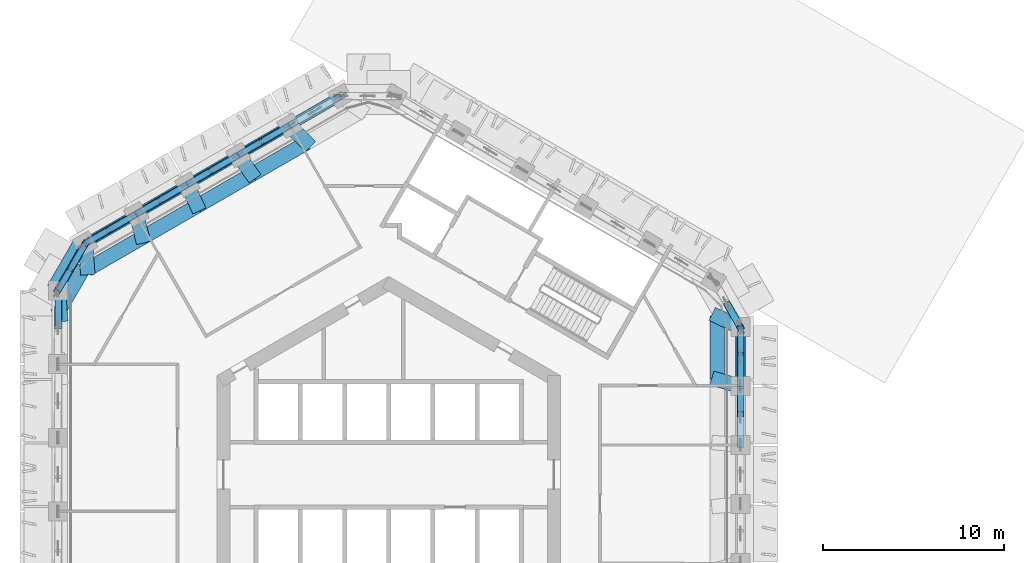
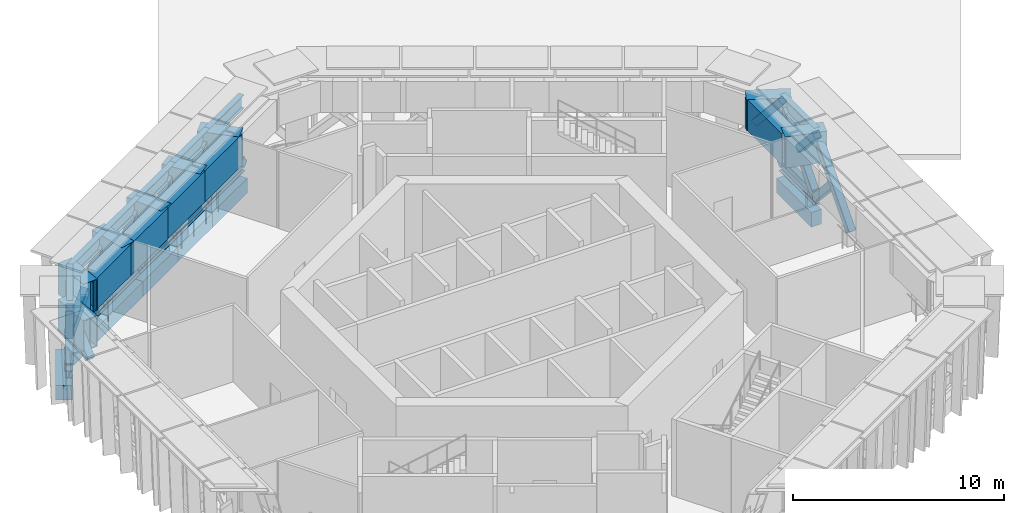
# One storey, part 4 of 18: 37 members, 21 beams.
"""IFC4 building model written with IfcOpenShell, lengths in metres."""

from ifc_helpers import new_model, si_unit, direction, frame, origin, origin_2d, place, context, subcontext, project, spatial, rectangle, hollow_rectangle, i_section, extrude, material, material_profile, profile_set, type_object, element, save


model = new_model("IFC4")

# Units and contexts
model_context = context("Model", 3, precision=1e-05, world=origin(), true_north=direction((0.0, 1.0)))
body_context = subcontext(model_context, "Body", "Model", "MODEL_VIEW")
ifc_project = project(units=[si_unit("LENGTHUNIT", "METRE"), si_unit("AREAUNIT", "SQUARE_METRE"), si_unit("VOLUMEUNIT", "CUBIC_METRE"), si_unit("PLANEANGLEUNIT", "RADIAN"), si_unit("MASSUNIT", "GRAM", prefix="KILO")], contexts=[model_context])

# Site, building, storey
site_placement = place(None, origin())
site = spatial("IfcSite", under=ifc_project, at=site_placement, CompositionType="ELEMENT")
building_placement = place(site_placement, origin())
building = spatial("IfcBuilding", under=site, at=building_placement, Name="Ayvan Gate Tower", CompositionType="ELEMENT")
storey_placement = place(building_placement, frame((0.0, 0.0, 147.89990234375)))
storey = spatial("IfcBuildingStorey", under=building, at=storey_placement, Name="L39", CompositionType="ELEMENT", Elevation=147.89990234375)

# Members
ifc_material_1 = material(Name="Steel S460NH", Category="steel")
ifc_material_profile_1 = material_profile(ifc_material_1, hollow_rectangle(XDim=0.39990234375, YDim=0.39990234375, WallThickness=0.02001953125, InnerFilletRadius=0.02001953125, OuterFilletRadius=0.030029296875, at=origin_2d()), Name="RHS 400x400x20")
ifc_profile_set_1 = profile_set([ifc_material_profile_1], Name="Steel S460NH")
member_type_1 = type_object("IfcMemberType", Name="Belt truss brace BT2 RHS 400x400x20", PredefinedType="BRACE", material=ifc_profile_set_1)
member_1_placement = place(storey_placement, frame((19.485595703125, 1.640869140625, 0.400146484375), z_axis=(0.0, 0.66355587794, 0.748126725128), x_axis=(-1.0, 0.0, 0.0)))
element("IfcMember", 1, at=member_1_placement, inside=storey, type_object=member_type_1, Name="BT2-DA-4", PredefinedType="BRACE", context=body_context, shape_type="SweptSolid", body=[
    extrude(hollow_rectangle(XDim=0.39990234375, YDim=0.39990234375, WallThickness=0.02001953125, InnerFilletRadius=0.02001953125, OuterFilletRadius=0.030029296875, at=origin_2d()), origin(), (0.0, 0.0, 1.0), 4.878662109375),
])
member_2_placement = place(storey_placement, frame((19.485595703125, 4.92236328125, 0.400146484375), z_axis=(0.0, -0.670222172985, 0.742160520938), x_axis=(1.0, 0.0, 0.0)))
element("IfcMember", 2, at=member_2_placement, inside=storey, type_object=member_type_1, Name="BT2-DB-4", PredefinedType="BRACE", context=body_context, shape_type="SweptSolid", body=[
    extrude(hollow_rectangle(XDim=0.39990234375, YDim=0.39990234375, WallThickness=0.02001953125, InnerFilletRadius=0.02001953125, OuterFilletRadius=0.030029296875, at=origin_2d()), origin(), (0.0, 0.0, 1.0), 2.368896484375),
])
member_3_placement = place(storey_placement, frame((19.485595703125, 4.92236328125, 0.400146484375), z_axis=(0.0, 0.660174739352, 0.751112051242), x_axis=(-1.0, 0.0, 0.0)))
element("IfcMember", 3, at=member_3_placement, inside=storey, type_object=member_type_1, Name="BT2-DA-5", PredefinedType="BRACE", context=body_context, shape_type="SweptSolid", body=[
    extrude(hollow_rectangle(XDim=0.39990234375, YDim=0.39990234375, WallThickness=0.02001953125, InnerFilletRadius=0.02001953125, OuterFilletRadius=0.030029296875, at=origin_2d()), origin(), (0.0, 0.0, 1.0), 4.859375),
])
member_4_placement = place(storey_placement, frame((19.485595703125, 8.203857421875, 0.400146484375), z_axis=(0.0, -0.673556040678, 0.739136158002), x_axis=(1.0, 0.0, 0.0)))
element("IfcMember", 4, at=member_4_placement, inside=storey, type_object=member_type_1, Name="BT2-DB-5", PredefinedType="BRACE", context=body_context, shape_type="SweptSolid", body=[
    extrude(hollow_rectangle(XDim=0.39990234375, YDim=0.39990234375, WallThickness=0.02001953125, InnerFilletRadius=0.02001953125, OuterFilletRadius=0.030029296875, at=origin_2d()), origin(), (0.0, 0.0, 1.0), 2.37890625),
])
member_5_placement = place(storey_placement, frame((19.485595703125, 6.46533203125, 2.30810546875), z_axis=(0.0, -0.673502575668, 0.739184875771), x_axis=(1.0, 0.0, 0.0)))
element("IfcMember", 5, at=member_5_placement, inside=storey, type_object=member_type_1, Name="BT2-DC-5", PredefinedType="BRACE", context=body_context, shape_type="SweptSolid", body=[
    extrude(hollow_rectangle(XDim=0.39990234375, YDim=0.39990234375, WallThickness=0.02001953125, InnerFilletRadius=0.02001953125, OuterFilletRadius=0.030029296875, at=origin_2d()), origin(), (0.0, 0.0, 1.0), 2.356689453125),
])
member_6_placement = place(storey_placement, frame((18.768310546875, 9.407958984375, 2.3046875), z_axis=(0.314761825813, -0.560636022628, 0.765906158183), x_axis=(0.871971306425, 0.489556984192, 0.0)))
element("IfcMember", 6, at=member_6_placement, inside=storey, type_object=member_type_1, Name="BT2-DC-6", PredefinedType="BRACE", context=body_context, shape_type="SweptSolid", body=[
    extrude(hollow_rectangle(XDim=0.39990234375, YDim=0.39990234375, WallThickness=0.02001953125, InnerFilletRadius=0.02001953125, OuterFilletRadius=0.030029296875, at=origin_2d()), origin(), (0.0, 0.0, 1.0), 2.27880859375),
])
member_7_placement = place(storey_placement, frame((-2.63818359375, 20.976806640625, 0.400146484375), z_axis=(-0.583247683132, -0.336766698017, 0.739195732691), x_axis=(0.500031727451, -0.866007085157, 0.0)))
element("IfcMember", 7, at=member_7_placement, inside=storey, type_object=member_type_1, Name="BT2-DA-13", PredefinedType="BRACE", context=body_context, shape_type="SweptSolid", body=[
    extrude(hollow_rectangle(XDim=0.39990234375, YDim=0.39990234375, WallThickness=0.02001953125, InnerFilletRadius=0.02001953125, OuterFilletRadius=0.030029296875, at=origin_2d()), origin(), (0.0, 0.0, 1.0), 4.937744140625),
])
member_8_placement = place(storey_placement, frame((-5.47998046875, 19.336181640625, 0.400146484375), z_axis=(-0.580420519169, -0.335136753755, 0.742155898185), x_axis=(0.500034477575, -0.866005497232, 0.0)))
element("IfcMember", 8, at=member_8_placement, inside=storey, type_object=member_type_1, Name="BT2-DA-14", PredefinedType="BRACE", context=body_context, shape_type="SweptSolid", body=[
    extrude(hollow_rectangle(XDim=0.39990234375, YDim=0.39990234375, WallThickness=0.02001953125, InnerFilletRadius=0.02001953125, OuterFilletRadius=0.030029296875, at=origin_2d()), origin(), (0.0, 0.0, 1.0), 4.91796875),
])
member_9_placement = place(storey_placement, frame((-8.32177734375, 17.6953125, 0.400146484375), z_axis=(0.574641112672, 0.331855502399, 0.748103948094), x_axis=(-0.500097537186, 0.86596908334, 0.0)))
element("IfcMember", 9, at=member_9_placement, inside=storey, type_object=member_type_1, Name="BT2-DB-14", PredefinedType="BRACE", context=body_context, shape_type="SweptSolid", body=[
    extrude(hollow_rectangle(XDim=0.39990234375, YDim=0.39990234375, WallThickness=0.02001953125, InnerFilletRadius=0.02001953125, OuterFilletRadius=0.030029296875, at=origin_2d()), origin(), (0.0, 0.0, 1.0), 2.34912109375),
])
member_10_placement = place(storey_placement, frame((-6.85546875, 18.5419921875, 2.30908203125), z_axis=(0.574699351194, 0.331726788696, 0.748116296707), x_axis=(-0.499914057068, 0.866075017274, 0.0)))
element("IfcMember", 10, at=member_10_placement, inside=storey, type_object=member_type_1, Name="BT2-DC-14", PredefinedType="BRACE", context=body_context, shape_type="SweptSolid", body=[
    extrude(hollow_rectangle(XDim=0.39990234375, YDim=0.39990234375, WallThickness=0.02001953125, InnerFilletRadius=0.02001953125, OuterFilletRadius=0.030029296875, at=origin_2d()), origin(), (0.0, 0.0, 1.0), 2.3271484375),
])
member_11_placement = place(storey_placement, frame((-8.32177734375, 17.6953125, 0.400146484375), z_axis=(-0.577568873179, -0.333442851361, 0.745137612533), x_axis=(0.49998122708, -0.866036242063, 0.0)))
element("IfcMember", 11, at=member_11_placement, inside=storey, type_object=member_type_1, Name="BT2-DA-15", PredefinedType="BRACE", context=body_context, shape_type="SweptSolid", body=[
    extrude(hollow_rectangle(XDim=0.39990234375, YDim=0.39990234375, WallThickness=0.02001953125, InnerFilletRadius=0.02001953125, OuterFilletRadius=0.030029296875, at=origin_2d()), origin(), (0.0, 0.0, 1.0), 4.898193359375),
])
member_12_placement = place(storey_placement, frame((-11.163818359375, 16.0546875, 0.400146484375), z_axis=(0.577578514298, 0.33344525588, 0.74512906342), x_axis=(-0.499977671647, 0.866038294681, 0.0)))
element("IfcMember", 12, at=member_12_placement, inside=storey, type_object=member_type_1, Name="BT2-DB-15", PredefinedType="BRACE", context=body_context, shape_type="SweptSolid", body=[
    extrude(hollow_rectangle(XDim=0.39990234375, YDim=0.39990234375, WallThickness=0.02001953125, InnerFilletRadius=0.02001953125, OuterFilletRadius=0.030029296875, at=origin_2d()), origin(), (0.0, 0.0, 1.0), 2.359130859375),
])
member_13_placement = place(storey_placement, frame((-9.684326171875, 16.90869140625, 2.308837890625), z_axis=(0.577619252739, 0.333470908798, 0.74508600299), x_axis=(-0.499980071345, 0.866036909293, 0.0)))
element("IfcMember", 13, at=member_13_placement, inside=storey, type_object=member_type_1, Name="BT2-DC-15", PredefinedType="BRACE", context=body_context, shape_type="SweptSolid", body=[
    extrude(hollow_rectangle(XDim=0.39990234375, YDim=0.39990234375, WallThickness=0.02001953125, InnerFilletRadius=0.02001953125, OuterFilletRadius=0.030029296875, at=origin_2d()), origin(), (0.0, 0.0, 1.0), 2.3369140625),
])
member_14_placement = place(storey_placement, frame((-11.163818359375, 16.0546875, 0.400146484375), z_axis=(-0.574639593913, -0.331782679408, 0.748137414351), x_axis=(0.500016225489, -0.866016035791, 0.0)))
element("IfcMember", 14, at=member_14_placement, inside=storey, type_object=member_type_1, Name="BT2-DA-16", PredefinedType="BRACE", context=body_context, shape_type="SweptSolid", body=[
    extrude(hollow_rectangle(XDim=0.39990234375, YDim=0.39990234375, WallThickness=0.02001953125, InnerFilletRadius=0.02001953125, OuterFilletRadius=0.030029296875, at=origin_2d()), origin(), (0.0, 0.0, 1.0), 4.878662109375),
])
member_15_placement = place(storey_placement, frame((-14.005615234375, 14.413818359375, 0.400146484375), z_axis=(0.580435587012, 0.335152082557, 0.742137191419), x_axis=(-0.500041894521, 0.86600121462, 0.0)))
element("IfcMember", 15, at=member_15_placement, inside=storey, type_object=member_type_1, Name="BT2-DB-16", PredefinedType="BRACE", context=body_context, shape_type="SweptSolid", body=[
    extrude(hollow_rectangle(XDim=0.39990234375, YDim=0.39990234375, WallThickness=0.02001953125, InnerFilletRadius=0.02001953125, OuterFilletRadius=0.030029296875, at=origin_2d()), origin(), (0.0, 0.0, 1.0), 2.368896484375),
])
member_16_placement = place(storey_placement, frame((-12.51318359375, 15.275634765625, 2.308349609375), z_axis=(0.580478314905, 0.335075385718, 0.742138404754), x_axis=(-0.499928466065, 0.866066699982, 0.0)))
element("IfcMember", 16, at=member_16_placement, inside=storey, type_object=member_type_1, Name="BT2-DC-16", PredefinedType="BRACE", context=body_context, shape_type="SweptSolid", body=[
    extrude(hollow_rectangle(XDim=0.39990234375, YDim=0.39990234375, WallThickness=0.02001953125, InnerFilletRadius=0.02001953125, OuterFilletRadius=0.030029296875, at=origin_2d()), origin(), (0.0, 0.0, 1.0), 2.346923828125),
])
member_17_placement = place(storey_placement, frame((-14.005615234375, 14.413818359375, 0.400146484375), z_axis=(-0.57170868921, -0.330092810274, 0.751124431294), x_axis=(0.500018909665, -0.866014486009, 0.0)))
element("IfcMember", 17, at=member_17_placement, inside=storey, type_object=member_type_1, Name="BT2-DA-17", PredefinedType="BRACE", context=body_context, shape_type="SweptSolid", body=[
    extrude(hollow_rectangle(XDim=0.39990234375, YDim=0.39990234375, WallThickness=0.02001953125, InnerFilletRadius=0.02001953125, OuterFilletRadius=0.030029296875, at=origin_2d()), origin(), (0.0, 0.0, 1.0), 4.859130859375),
])
member_18_placement = place(storey_placement, frame((-16.847412109375, 12.773193359375, 0.400146484375), z_axis=(0.583277648818, 0.336747134572, 0.739181000667), x_axis=(-0.499990676028, 0.866030786915, 0.0)))
element("IfcMember", 18, at=member_18_placement, inside=storey, type_object=member_type_1, Name="BT2-DB-17", PredefinedType="BRACE", context=body_context, shape_type="SweptSolid", body=[
    extrude(hollow_rectangle(XDim=0.39990234375, YDim=0.39990234375, WallThickness=0.02001953125, InnerFilletRadius=0.02001953125, OuterFilletRadius=0.030029296875, at=origin_2d()), origin(), (0.0, 0.0, 1.0), 2.378662109375),
])
member_19_placement = place(storey_placement, frame((-15.341796875, 13.642333984375, 2.30810546875), z_axis=(0.583258035882, 0.336797846297, 0.739173372294), x_axis=(-0.500059755004, 0.865990901468, 0.0)))
element("IfcMember", 19, at=member_19_placement, inside=storey, type_object=member_type_1, Name="BT2-DC-17", PredefinedType="BRACE", context=body_context, shape_type="SweptSolid", body=[
    extrude(hollow_rectangle(XDim=0.39990234375, YDim=0.39990234375, WallThickness=0.02001953125, InnerFilletRadius=0.02001953125, OuterFilletRadius=0.030029296875, at=origin_2d()), origin(), (0.0, 0.0, 1.0), 2.356689453125),
])
member_20_placement = place(storey_placement, frame((-16.847412109375, 12.773193359375, 0.400146484375), z_axis=(-0.306600402735, -0.546752477494, 0.779139218238), x_axis=(0.872220903204, -0.489112150753, 0.0)))
element("IfcMember", 20, at=member_20_placement, inside=storey, type_object=member_type_1, Name="BT2-DA-18", PredefinedType="BRACE", context=body_context, shape_type="SweptSolid", body=[
    extrude(hollow_rectangle(XDim=0.39990234375, YDim=0.39990234375, WallThickness=0.02001953125, InnerFilletRadius=0.02001953125, OuterFilletRadius=0.030029296875, at=origin_2d()), origin(), (0.0, 0.0, 1.0), 4.6845703125),
])
for number, where, z_axis, x_axis, name in (
    (21, (-18.347412109375, 10.175048828125, 0.400146484375), (0.32815035778, 0.552916747144, 0.765898435445), (-0.859953018769, 0.510373202187, 0.0), "BT2-DB-18"),
    (22, (-17.531494140625, 11.5498046875, 2.3046875), (0.32815035778, 0.552916747144, 0.765898435445), (-0.859953018769, 0.510373202187, 0.0), "BT2-DC-18"),
):
    element("IfcMember", number, at=place(storey_placement, frame(where, z_axis=z_axis, x_axis=x_axis)), inside=storey, type_object=member_type_1, Name=name, PredefinedType="BRACE", context=body_context, shape_type="SweptSolid", body=[
        extrude(hollow_rectangle(XDim=0.39990234375, YDim=0.39990234375, WallThickness=0.02001953125, InnerFilletRadius=0.02001953125, OuterFilletRadius=0.030029296875, at=origin_2d()), origin(), (0.0, 0.0, 1.0), 2.27880859375),
    ])
member_21_placement = place(storey_placement, frame((-18.314453125, 8.23046875, 2.2890625), z_axis=(0.011603533254, 0.747414888042, 0.664256233052), x_axis=(-0.999879510689, 0.015523018525, 0.0)))
element("IfcMember", 23, at=member_21_placement, inside=storey, type_object=member_type_1, Name="BT2-DC-19", PredefinedType="BRACE", context=body_context, shape_type="SweptSolid", body=[
    extrude(hollow_rectangle(XDim=0.39990234375, YDim=0.39990234375, WallThickness=0.02001953125, InnerFilletRadius=0.02001953125, OuterFilletRadius=0.030029296875, at=origin_2d()), origin(), (0.0, 0.0, 1.0), 2.651123046875),
])
ifc_material_2 = material(Name="Steel S460ML", Category="steel")
ifc_material_profile_2 = material_profile(ifc_material_2, i_section(OverallWidth=0.300048828125, OverallDepth=0.800048828125, WebThickness=0.017578125, FlangeThickness=0.032958984375, FilletRadius=0.030029296875, at=origin_2d()), Name="HE 800 B")
ifc_profile_set_2 = profile_set([ifc_material_profile_2], Name="Steel S460ML")
member_type_2 = type_object("IfcMemberType", Name="Belt truss chord BT2 HE 800 B", PredefinedType="CHORD", material=ifc_profile_set_2)
member_22_placement = place(storey_placement, frame((19.485595703125, 4.92236328125, 0.400146484375), z_axis=(0.0, 1.0, 0.0), x_axis=(-1.0, 0.0, 0.0)))
element("IfcMember", 24, at=member_22_placement, inside=storey, type_object=member_type_2, Name="BT2-BC-5", PredefinedType="CHORD", context=body_context, shape_type="SweptSolid", body=[
    extrude(i_section(OverallWidth=0.300048828125, OverallDepth=0.800048828125, WebThickness=0.017578125, FlangeThickness=0.032958984375, FilletRadius=0.030029296875, at=origin_2d()), origin(), (0.0, 0.0, 1.0), 3.281494140625),
])
member_23_placement = place(storey_placement, frame((19.485595703125, 4.878173828125, 4.050048828125), z_axis=(0.0, 1.0, 0.0), x_axis=(-1.0, 0.0, 0.0)))
element("IfcMember", 25, at=member_23_placement, inside=storey, type_object=member_type_2, Name="BT2-TC-5", PredefinedType="CHORD", context=body_context, shape_type="SweptSolid", body=[
    extrude(i_section(OverallWidth=0.300048828125, OverallDepth=0.800048828125, WebThickness=0.017578125, FlangeThickness=0.032958984375, FilletRadius=0.030029296875, at=origin_2d()), origin(), (0.0, 0.0, 1.0), 3.252197265625),
])
member_24_placement = place(storey_placement, frame((-2.63818359375, 20.976806640625, 0.400146484375), z_axis=(-0.866036909293, -0.499980071345, 0.0), x_axis=(0.499980071345, -0.866036909293, 0.0)))
element("IfcMember", 26, at=member_24_placement, inside=storey, type_object=member_type_2, Name="BT2-BC-13", PredefinedType="CHORD", context=body_context, shape_type="SweptSolid", body=[
    extrude(i_section(OverallWidth=0.300048828125, OverallDepth=0.800048828125, WebThickness=0.017578125, FlangeThickness=0.032958984375, FilletRadius=0.030029296875, at=origin_2d()), origin(), (0.0, 0.0, 1.0), 3.281494140625),
])
member_25_placement = place(storey_placement, frame((-2.70166015625, 20.940185546875, 4.050048828125), z_axis=(-0.866003061655, -0.500038695707, 0.0), x_axis=(0.500038695707, -0.866003061655, 0.0)))
element("IfcMember", 27, at=member_25_placement, inside=storey, type_object=member_type_2, Name="BT2-TC-13", PredefinedType="CHORD", context=body_context, shape_type="SweptSolid", body=[
    extrude(i_section(OverallWidth=0.300048828125, OverallDepth=0.800048828125, WebThickness=0.017578125, FlangeThickness=0.032958984375, FilletRadius=0.030029296875, at=origin_2d()), origin(), (0.0, 0.0, 1.0), 3.252197265625),
])
member_26_placement = place(storey_placement, frame((-5.47998046875, 19.336181640625, 0.400146484375), z_axis=(-0.866004692627, -0.500035871061, 0.0), x_axis=(0.500035871061, -0.866004692627, 0.0)))
element("IfcMember", 28, at=member_26_placement, inside=storey, type_object=member_type_2, Name="BT2-BC-14", PredefinedType="CHORD", context=body_context, shape_type="SweptSolid", body=[
    extrude(i_section(OverallWidth=0.300048828125, OverallDepth=0.800048828125, WebThickness=0.017578125, FlangeThickness=0.032958984375, FilletRadius=0.030029296875, at=origin_2d()), origin(), (0.0, 0.0, 1.0), 3.281494140625),
])
member_27_placement = place(storey_placement, frame((-5.51806640625, 19.31396484375, 4.050048828125), z_axis=(-0.866035568818, -0.499982393232, 0.0), x_axis=(0.499982393232, -0.866035568818, 0.0)))
element("IfcMember", 29, at=member_27_placement, inside=storey, type_object=member_type_2, Name="BT2-TC-14", PredefinedType="CHORD", context=body_context, shape_type="SweptSolid", body=[
    extrude(i_section(OverallWidth=0.300048828125, OverallDepth=0.800048828125, WebThickness=0.017578125, FlangeThickness=0.032958984375, FilletRadius=0.030029296875, at=origin_2d()), origin(), (0.0, 0.0, 1.0), 3.251953125),
])
member_28_placement = place(storey_placement, frame((-8.32177734375, 17.6953125, 0.400146484375), z_axis=(-0.866055506462, -0.499947857008, 0.0), x_axis=(0.499947857008, -0.866055506462, 0.0)))
element("IfcMember", 30, at=member_28_placement, inside=storey, type_object=member_type_2, Name="BT2-BC-15", PredefinedType="CHORD", context=body_context, shape_type="SweptSolid", body=[
    extrude(i_section(OverallWidth=0.300048828125, OverallDepth=0.800048828125, WebThickness=0.017578125, FlangeThickness=0.032958984375, FilletRadius=0.030029296875, at=origin_2d()), origin(), (0.0, 0.0, 1.0), 3.281494140625),
])
member_29_placement = place(storey_placement, frame((-8.33447265625, 17.68798828125, 4.050048828125), z_axis=(-0.866035568818, -0.499982393232, 0.0), x_axis=(0.499982393232, -0.866035568818, 0.0)))
element("IfcMember", 31, at=member_29_placement, inside=storey, type_object=member_type_2, Name="BT2-TC-15", PredefinedType="CHORD", context=body_context, shape_type="SweptSolid", body=[
    extrude(i_section(OverallWidth=0.300048828125, OverallDepth=0.800048828125, WebThickness=0.017578125, FlangeThickness=0.032958984375, FilletRadius=0.030029296875, at=origin_2d()), origin(), (0.0, 0.0, 1.0), 3.251953125),
])
member_30_placement = place(storey_placement, frame((-11.163818359375, 16.0546875, 0.400146484375), z_axis=(-0.866004692627, -0.500035871061, 0.0), x_axis=(0.500035871061, -0.866004692627, 0.0)))
element("IfcMember", 32, at=member_30_placement, inside=storey, type_object=member_type_2, Name="BT2-BC-16", PredefinedType="CHORD", context=body_context, shape_type="SweptSolid", body=[
    extrude(i_section(OverallWidth=0.300048828125, OverallDepth=0.800048828125, WebThickness=0.017578125, FlangeThickness=0.032958984375, FilletRadius=0.030029296875, at=origin_2d()), origin(), (0.0, 0.0, 1.0), 3.281494140625),
])
member_31_placement = place(storey_placement, frame((-11.15087890625, 16.06201171875, 4.050048828125), z_axis=(-0.866035568818, -0.499982393232, 0.0), x_axis=(0.499982393232, -0.866035568818, 0.0)))
element("IfcMember", 33, at=member_31_placement, inside=storey, type_object=member_type_2, Name="BT2-TC-16", PredefinedType="CHORD", context=body_context, shape_type="SweptSolid", body=[
    extrude(i_section(OverallWidth=0.300048828125, OverallDepth=0.800048828125, WebThickness=0.017578125, FlangeThickness=0.032958984375, FilletRadius=0.030029296875, at=origin_2d()), origin(), (0.0, 0.0, 1.0), 3.251953125),
])
member_32_placement = place(storey_placement, frame((-14.005615234375, 14.413818359375, 0.400146484375), z_axis=(-0.866036909293, -0.499980071345, 0.0), x_axis=(0.499980071345, -0.866036909293, 0.0)))
element("IfcMember", 34, at=member_32_placement, inside=storey, type_object=member_type_2, Name="BT2-BC-17", PredefinedType="CHORD", context=body_context, shape_type="SweptSolid", body=[
    extrude(i_section(OverallWidth=0.300048828125, OverallDepth=0.800048828125, WebThickness=0.017578125, FlangeThickness=0.032958984375, FilletRadius=0.030029296875, at=origin_2d()), origin(), (0.0, 0.0, 1.0), 3.281494140625),
])
member_33_placement = place(storey_placement, frame((-13.96728515625, 14.43603515625, 4.050048828125), z_axis=(-0.866003061655, -0.500038695707, 0.0), x_axis=(0.500038695707, -0.866003061655, 0.0)))
element("IfcMember", 35, at=member_33_placement, inside=storey, type_object=member_type_2, Name="BT2-TC-17", PredefinedType="CHORD", context=body_context, shape_type="SweptSolid", body=[
    extrude(i_section(OverallWidth=0.300048828125, OverallDepth=0.800048828125, WebThickness=0.017578125, FlangeThickness=0.032958984375, FilletRadius=0.030029296875, at=origin_2d()), origin(), (0.0, 0.0, 1.0), 3.252197265625),
])
member_34_placement = place(storey_placement, frame((-16.847412109375, 12.773193359375, 0.400146484375), z_axis=(-0.499990139034, -0.866031096941, 0.0), x_axis=(0.866031096941, -0.499990139034, 0.0)))
element("IfcMember", 36, at=member_34_placement, inside=storey, type_object=member_type_2, Name="BT2-BC-18", PredefinedType="CHORD", context=body_context, shape_type="SweptSolid", body=[
    extrude(i_section(OverallWidth=0.300048828125, OverallDepth=0.800048828125, WebThickness=0.017578125, FlangeThickness=0.032958984375, FilletRadius=0.030029296875, at=origin_2d()), origin(), (0.0, 0.0, 1.0), 3.0),
])
member_35_placement = place(storey_placement, frame((-16.78369140625, 12.809814453125, 4.050048828125), z_axis=(-0.50002537861, -0.866010750942, 0.0), x_axis=(0.866010750942, -0.50002537861, 0.0)))
element("IfcMember", 37, at=member_35_placement, inside=storey, type_object=member_type_2, Name="BT2-TC-18", PredefinedType="CHORD", context=body_context, shape_type="SweptSolid", body=[
    extrude(i_section(OverallWidth=0.300048828125, OverallDepth=0.800048828125, WebThickness=0.017578125, FlangeThickness=0.032958984375, FilletRadius=0.030029296875, at=origin_2d()), origin(), (0.0, 0.0, 1.0), 2.999755859375),
])

# Beams
ifc_material_3 = material(Name="Concrete C40/50", Category="concrete")
ifc_material_profile_3 = material_profile(ifc_material_3, rectangle(XDim=0.800048828125, YDim=0.85009765625, at=origin_2d()), Name="RC 800x850")
ifc_profile_set_3 = profile_set([ifc_material_profile_3], Name="Concrete C40/50")
beam_type_1 = type_object("IfcBeamType", Name="Corner spandrel beam RC 800x850 C40/50", PredefinedType="BEAM", material=ifc_profile_set_3)
beam_1_placement = place(storey_placement, frame((-17.059326171875, 12.870849609375, -0.824951171875), z_axis=(-0.499990139034, -0.866031096941, 0.0), x_axis=(0.866031096941, -0.499990139034, 0.0)))
element("IfcBeam", 38, at=beam_1_placement, inside=storey, type_object=beam_type_1, Name="SB-L39-18", PredefinedType="BEAM", context=body_context, shape_type="SweptSolid", body=[
    extrude(rectangle(XDim=0.800048828125, YDim=0.85009765625, at=origin_2d()), origin(), (0.0, 0.0, 1.0), 3.0),
])
ifc_material_profile_4 = material_profile(ifc_material_3, rectangle(XDim=0.550048828125, YDim=0.85009765625, at=origin_2d()), Name="RC 550x850")
ifc_profile_set_4 = profile_set([ifc_material_profile_4], Name="Concrete C40/50")
beam_type_2 = type_object("IfcBeamType", Name="Spandrel beam RC 550x850 C40/50", PredefinedType="BEAM", material=ifc_profile_set_4)
beam_2_placement = place(storey_placement, frame((19.485595703125, 4.93701171875, -0.824951171875), z_axis=(0.0, 1.0, 0.0), x_axis=(-1.0, 0.0, 0.0)))
element("IfcBeam", 39, at=beam_2_placement, inside=storey, type_object=beam_type_2, Name="SB-L39-5", PredefinedType="BEAM", context=body_context, shape_type="SweptSolid", body=[
    extrude(rectangle(XDim=0.550048828125, YDim=0.85009765625, at=origin_2d()), origin(), (0.0, 0.0, 1.0), 3.29150390625),
])
beam_3_placement = place(storey_placement, frame((-2.61669921875, 20.9892578125, -0.824951171875), z_axis=(-0.866011412005, -0.50002423369, 0.0), x_axis=(0.50002423369, -0.866011412005, 0.0)))
element("IfcBeam", 40, at=beam_3_placement, inside=storey, type_object=beam_type_2, Name="SB-L39-13", PredefinedType="BEAM", context=body_context, shape_type="SweptSolid", body=[
    extrude(rectangle(XDim=0.550048828125, YDim=0.85009765625, at=origin_2d()), origin(), (0.0, 0.0, 1.0), 3.291259765625),
])
beam_4_placement = place(storey_placement, frame((-5.467041015625, 19.343505859375, -0.824951171875), z_axis=(-0.866029956157, -0.499992114976, 0.0), x_axis=(0.499992114976, -0.866029956157, 0.0)))
element("IfcBeam", 41, at=beam_4_placement, inside=storey, type_object=beam_type_2, Name="SB-L39-14", PredefinedType="BEAM", context=body_context, shape_type="SweptSolid", body=[
    extrude(rectangle(XDim=0.550048828125, YDim=0.85009765625, at=origin_2d()), origin(), (0.0, 0.0, 1.0), 3.29150390625),
])
beam_5_placement = place(storey_placement, frame((-8.317626953125, 17.69775390625, -0.824951171875), z_axis=(-0.866043531843, -0.499968599967, 0.0), x_axis=(0.499968599967, -0.866043531843, 0.0)))
element("IfcBeam", 42, at=beam_5_placement, inside=storey, type_object=beam_type_2, Name="SB-L39-15", PredefinedType="BEAM", context=body_context, shape_type="SweptSolid", body=[
    extrude(rectangle(XDim=0.550048828125, YDim=0.85009765625, at=origin_2d()), origin(), (0.0, 0.0, 1.0), 3.291259765625),
])
beam_6_placement = place(storey_placement, frame((-11.16796875, 16.05224609375, -0.824951171875), z_axis=(-0.866029956157, -0.499992114976, 0.0), x_axis=(0.499992114976, -0.866029956157, 0.0)))
element("IfcBeam", 43, at=beam_6_placement, inside=storey, type_object=beam_type_2, Name="SB-L39-16", PredefinedType="BEAM", context=body_context, shape_type="SweptSolid", body=[
    extrude(rectangle(XDim=0.550048828125, YDim=0.85009765625, at=origin_2d()), origin(), (0.0, 0.0, 1.0), 3.29150390625),
])
beam_7_placement = place(storey_placement, frame((-14.0185546875, 14.406494140625, -0.824951171875), z_axis=(-0.866011412005, -0.50002423369, 0.0), x_axis=(0.50002423369, -0.866011412005, 0.0)))
element("IfcBeam", 44, at=beam_7_placement, inside=storey, type_object=beam_type_2, Name="SB-L39-17", PredefinedType="BEAM", context=body_context, shape_type="SweptSolid", body=[
    extrude(rectangle(XDim=0.550048828125, YDim=0.85009765625, at=origin_2d()), origin(), (0.0, 0.0, 1.0), 3.291259765625),
])
ifc_material_profile_5 = material_profile(ifc_material_2, hollow_rectangle(XDim=0.800048828125, YDim=1.800048828125, WallThickness=0.050048828125, at=origin_2d()), Name="BOX 800x1800x50")
ifc_profile_set_5 = profile_set([ifc_material_profile_5], Name="Steel S460ML")
beam_type_3 = type_object("IfcBeamType", Name="Transfer ring girder BOX 800x1800x50", PredefinedType="BEAM", material=ifc_profile_set_5)
for number, where, z_axis, x_axis, name in (
    (45, (18.1865234375, 5.2607421875, 3.550048828125), (0.0, 1.0, 0.0), (-1.0, 0.0, 0.0), "TR-L39-5"),
    (46, (-4.537353515625, 18.38037109375, 3.550048828125), (-0.866019818373, -0.500009674092, 0.0), (0.500009674092, -0.866019818373, 0.0), "TR-L39-14"),
):
    element("IfcBeam", number, at=place(storey_placement, frame(where, z_axis=z_axis, x_axis=x_axis)), inside=storey, type_object=beam_type_3, Name=name, PredefinedType="BEAM", context=body_context, shape_type="SweptSolid", body=[
        extrude(hollow_rectangle(XDim=0.800048828125, YDim=1.800048828125, WallThickness=0.050048828125, at=origin_2d()), origin(), (0.0, 0.0, 1.0), 3.50732421875),
    ])
beam_8_placement = place(storey_placement, frame((-7.57470703125, 16.626708984375, 3.550048828125), z_axis=(-0.86603255856, -0.499987607361, 0.0), x_axis=(0.499987607361, -0.86603255856, 0.0)))
element("IfcBeam", 47, at=beam_8_placement, inside=storey, type_object=beam_type_3, Name="TR-L39-15", PredefinedType="BEAM", context=body_context, shape_type="SweptSolid", body=[
    extrude(hollow_rectangle(XDim=0.800048828125, YDim=1.800048828125, WallThickness=0.050048828125, at=origin_2d()), origin(), (0.0, 0.0, 1.0), 3.5068359375),
])
for number, where, z_axis, x_axis, name in (
    (48, (-10.61181640625, 14.873291015625, 3.550048828125), (-0.866019818373, -0.500009674092, 0.0), (0.500009674092, -0.866019818373, 0.0), "TR-L39-16"),
    (49, (-13.649169921875, 13.11962890625, 3.550048828125), (-0.866019818373, -0.500009674092, 0.0), (0.500009674092, -0.866019818373, 0.0), "TR-L39-17"),
):
    element("IfcBeam", number, at=place(storey_placement, frame(where, z_axis=z_axis, x_axis=x_axis)), inside=storey, type_object=beam_type_3, Name=name, PredefinedType="BEAM", context=body_context, shape_type="SweptSolid", body=[
        extrude(hollow_rectangle(XDim=0.800048828125, YDim=1.800048828125, WallThickness=0.050048828125, at=origin_2d()), origin(), (0.0, 0.0, 1.0), 3.50732421875),
    ])
beam_9_placement = place(storey_placement, frame((-16.876953125, 11.47607421875, 3.550048828125), z_axis=(-0.499990139034, -0.866031096941, 0.0), x_axis=(0.866031096941, -0.499990139034, 0.0)))
element("IfcBeam", 50, at=beam_9_placement, inside=storey, type_object=beam_type_3, Name="TR-L39-18", PredefinedType="BEAM", context=body_context, shape_type="SweptSolid", body=[
    extrude(hollow_rectangle(XDim=0.800048828125, YDim=1.800048828125, WallThickness=0.050048828125, at=origin_2d()), origin(), (0.0, 0.0, 1.0), 3.0),
])
beam_10_placement = place(storey_placement, frame((19.869873046875, 4.77294921875, 3.550048828125), z_axis=(-0.960484801566, 0.278332437853, 0.0), x_axis=(-0.278332437853, -0.960484801566, 0.0)))
element("IfcBeam", 51, at=beam_10_placement, inside=storey, type_object=beam_type_3, Name="TS-L39-T0-4", PredefinedType="BEAM", context=body_context, shape_type="SweptSolid", body=[
    extrude(hollow_rectangle(XDim=0.800048828125, YDim=1.800048828125, WallThickness=0.050048828125, at=origin_2d()), origin(), (0.0, 0.0, 1.0), 2.052490234375),
])
beam_11_placement = place(storey_placement, frame((19.845703125, 7.96630859375, 3.550048828125), z_axis=(-0.900406982997, 0.435048577712, 0.0), x_axis=(-0.435048577712, -0.900406982997, 0.0)))
element("IfcBeam", 52, at=beam_11_placement, inside=storey, type_object=beam_type_3, Name="TS-L39-T0-5", PredefinedType="BEAM", context=body_context, shape_type="SweptSolid", body=[
    extrude(hollow_rectangle(XDim=0.800048828125, YDim=1.800048828125, WallThickness=0.050048828125, at=origin_2d()), origin(), (0.0, 0.0, 1.0), 2.142578125),
])
beam_12_placement = place(storey_placement, frame((-5.801513671875, 19.59423828125, 3.550048828125), z_axis=(0.721351668746, -0.692568964074, 0.0), x_axis=(0.692568964074, 0.721351668746, 0.0)))
element("IfcBeam", 53, at=beam_12_placement, inside=storey, type_object=beam_type_3, Name="TS-L39-T2-1", PredefinedType="BEAM", context=body_context, shape_type="SweptSolid", body=[
    extrude(hollow_rectangle(XDim=0.800048828125, YDim=1.800048828125, WallThickness=0.050048828125, at=origin_2d()), origin(), (0.0, 0.0, 1.0), 2.052734375),
])
beam_13_placement = place(storey_placement, frame((-8.565185546875, 18.0146484375, 3.550048828125), z_axis=(0.58091564934, -0.813963763537, 0.0), x_axis=(0.813963763537, 0.58091564934, 0.0)))
element("IfcBeam", 54, at=beam_13_placement, inside=storey, type_object=beam_type_3, Name="TS-L39-T2-2", PredefinedType="BEAM", context=body_context, shape_type="SweptSolid", body=[
    extrude(hollow_rectangle(XDim=0.800048828125, YDim=1.800048828125, WallThickness=0.050048828125, at=origin_2d()), origin(), (0.0, 0.0, 1.0), 2.005126953125),
])
beam_14_placement = place(storey_placement, frame((-11.318603515625, 16.425048828125, 3.550048828125), z_axis=(0.41443577564, -0.910078561372, 0.0), x_axis=(0.910078561372, 0.41443577564, 0.0)))
element("IfcBeam", 55, at=beam_14_placement, inside=storey, type_object=beam_type_3, Name="TS-L39-T2-3", PredefinedType="BEAM", context=body_context, shape_type="SweptSolid", body=[
    extrude(hollow_rectangle(XDim=0.800048828125, YDim=1.800048828125, WallThickness=0.050048828125, at=origin_2d()), origin(), (0.0, 0.0, 1.0), 2.00537109375),
])
beam_15_placement = place(storey_placement, frame((-14.068359375, 14.8212890625, 3.550048828125), z_axis=(0.239203662461, -0.970969416545, 0.0), x_axis=(0.970969416545, 0.239203662461, 0.0)))
element("IfcBeam", 56, at=beam_15_placement, inside=storey, type_object=beam_type_3, Name="TS-L39-T2-4", PredefinedType="BEAM", context=body_context, shape_type="SweptSolid", body=[
    extrude(hollow_rectangle(XDim=0.800048828125, YDim=1.800048828125, WallThickness=0.050048828125, at=origin_2d()), origin(), (0.0, 0.0, 1.0), 2.052490234375),
])
for number, where, z_axis, x_axis, name in (
    (57, (-16.822021484375, 13.203857421875, 3.550048828125), (0.073489763689, -0.997295971431, 0.0), (0.997295971431, 0.073489763689, 0.0), "TS-L39-T2-5"),
    (58, (-18.322021484375, 10.605712890625, 3.550048828125), (0.073489763689, -0.997295971431, 0.0), (0.997295971431, 0.073489763689, 0.0), "TS-L39-T3-0"),
):
    element("IfcBeam", number, at=place(storey_placement, frame(where, z_axis=z_axis, x_axis=x_axis)), inside=storey, type_object=beam_type_3, Name=name, PredefinedType="BEAM", context=body_context, shape_type="SweptSolid", body=[
        extrude(hollow_rectangle(XDim=0.800048828125, YDim=1.800048828125, WallThickness=0.050048828125, at=origin_2d()), origin(), (0.0, 0.0, 1.0), 2.142822265625),
    ])

save(model, "model.ifc")
